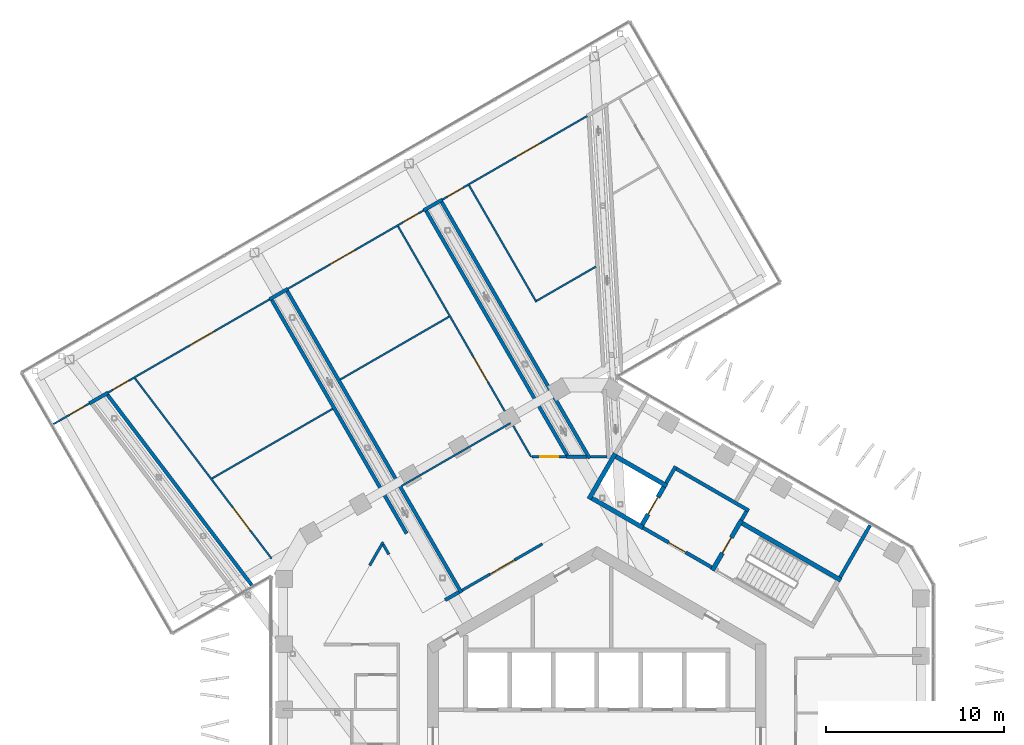
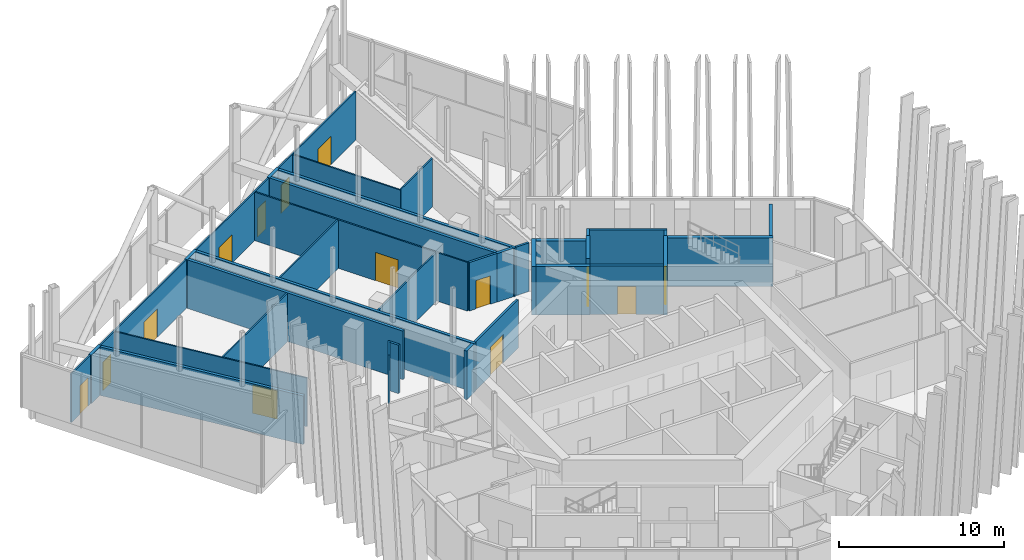
# One storey, part 21 of 29: 37 walls, 14 doors, 14 openings.
"""IFC4 building model written with IfcOpenShell, lengths in metres."""

from ifc_helpers import new_model, si_unit, direction, frame, frame_2d, origin, place, context, subcontext, project, spatial, rectangle, extrude, material, layer, layer_set, type_object, element, fill, save


model = new_model("IFC4")

# Units and contexts
model_context = context("Model", 3, precision=1e-05, world=origin(), true_north=direction((0.0, 1.0)))
body_context = subcontext(model_context, "Body", "Model", "MODEL_VIEW")
ifc_project = project(units=[si_unit("LENGTHUNIT", "METRE"), si_unit("AREAUNIT", "SQUARE_METRE"), si_unit("VOLUMEUNIT", "CUBIC_METRE"), si_unit("PLANEANGLEUNIT", "RADIAN"), si_unit("MASSUNIT", "GRAM", prefix="KILO")], contexts=[model_context])

# Site, building, storey
site_placement = place(None, origin())
site = spatial("IfcSite", under=ifc_project, at=site_placement, CompositionType="ELEMENT")
building_placement = place(site_placement, origin())
building = spatial("IfcBuilding", under=site, at=building_placement, Name="Ayvan Gate Tower", CompositionType="ELEMENT")
storey_placement = place(building_placement, frame((0.0, 0.0, 186.699951171875)))
storey = spatial("IfcBuildingStorey", under=building, at=storey_placement, Name="L50", CompositionType="ELEMENT", Elevation=186.699951171875)

# Walls
ifc_material_1 = material(Name="Plasterboard on steel stud", Category="steel")
ifc_layer_1 = layer(ifc_material_1, 0.14990234375)
ifc_layer_set_1 = layer_set([ifc_layer_1], Name="Plasterboard on steel stud")
wall_type_1 = type_object("IfcWallType", Name="WT-CORR-150", PredefinedType="PARTITIONING", material=ifc_layer_set_1)
wall_1_placement = place(storey_placement, frame((-12.751220703125, 9.900634765625, 0.0), z_axis=(0.0, 0.0, 1.0), x_axis=(0.500016320516, 0.866015980925, 0.0)))
element("IfcWall", 1, at=wall_1_placement, inside=storey, type_object=wall_type_1, Name="IW-L50-024", PredefinedType="PARTITIONING", context=body_context, shape_type="SweptSolid", body=[
    extrude(rectangle(XDim=1.51025390625, YDim=0.14990234375, at=frame_2d((0.755126953125, 0.0))), origin(), (0.0, 0.0, 1.0), 3.60009765625),
])
wall_2_placement = place(storey_placement, frame((-11.99609375, 11.07861328125, 0.0), z_axis=(0.0, 0.0, 1.0), x_axis=(0.50006233641, -0.86598941085, 0.0)))
element("IfcWall", 2, at=wall_2_placement, inside=storey, type_object=wall_type_1, Name="IW-L50-026", PredefinedType="PARTITIONING", context=body_context, shape_type="SweptSolid", body=[
    extrude(rectangle(XDim=0.642578125, YDim=0.14990234375, at=frame_2d((0.3212890625, 0.0))), origin(), (0.0, 0.0, 1.0), 3.60009765625),
])

# Wall, opening, door
wall_3_placement = place(storey_placement, frame((-7.56689453125, 8.506103515625, 0.0), z_axis=(0.0, 0.0, 1.0), x_axis=(0.866029992723, 0.499992051641, 0.0)))
wall_3 = element("IfcWall", 3, at=wall_3_placement, inside=storey, type_object=wall_type_1, Name="IW-L50-043", PredefinedType="PARTITIONING", context=body_context, shape_type="SweptSolid", body=[
    extrude(rectangle(XDim=5.19970703125, YDim=0.14990234375, at=frame_2d((2.599853515625, 0.0))), origin(), (0.0, 0.0, 1.0), 3.60009765625),
])
opening_1_placement = place(wall_3_placement, frame((1.7998046875, 0.0, 0.0)))
opening_1 = element("IfcOpeningElement", 4, at=opening_1_placement, cuts=wall_3, Name="Opening L50-D41", PredefinedType="OPENING", context=body_context, shape_type="SweptSolid", body=[
    extrude(rectangle(XDim=1.60009765625, YDim=2.10009765625, at=frame_2d((0.800048828125, 1.050048828125))), frame((0.0, 0.0849609375, 0.0), z_axis=(0.0, -1.0, 0.0), x_axis=(1.0, 0.0, 0.0)), (0.0, 0.0, 1.0), 0.169921875),
])
ifc_material_2 = material(Name="Timber door leaf", Category="wood")
door_type_1 = type_object("IfcDoorType", Name="DT-1600", OperationType="NOTDEFINED", PredefinedType="DOOR", material=ifc_material_2)
door_1_placement = place(opening_1_placement, origin())
door_1 = element("IfcDoor", 5, at=door_1_placement, inside=storey, type_object=door_type_1, Name="ID-L50-041", OperationType="SINGLE_SWING_LEFT", OverallHeight=2.10009765625, OverallWidth=1.60009765625, PredefinedType="DOOR", context=body_context, shape_type="SweptSolid", body=[
    extrude(rectangle(XDim=1.60009765625, YDim=2.10009765625, at=frame_2d((0.800048828125, 1.050048828125))), frame((0.0, 0.02490234375, 0.0), z_axis=(0.0, -1.0, 0.0), x_axis=(1.0, 0.0, 0.0)), (0.0, 0.0, 1.0), 0.050048828125),
])
fill(opening_1, door_1)

wall_4_placement = place(storey_placement, frame((-3.6337890625, 15.993408203125, 0.0), z_axis=(0.0, 0.0, 1.0), x_axis=(1.0, 0.0, 0.0)))
wall_4 = element("IfcWall", 6, at=wall_4_placement, inside=storey, type_object=wall_type_1, Name="IW-L50-053", PredefinedType="PARTITIONING", context=body_context, shape_type="SweptSolid", body=[
    extrude(rectangle(XDim=1.921142578125, YDim=0.14990234375, at=frame_2d((0.96044921875, 0.0))), origin(), (0.0, 0.0, 1.0), 3.60009765625),
])
opening_2_placement = place(wall_4_placement, frame((0.460693359375, 0.0, 0.0)))
opening_2 = element("IfcOpeningElement", 7, at=opening_2_placement, cuts=wall_4, Name="Opening L50-D40", PredefinedType="OPENING", context=body_context, shape_type="SweptSolid", body=[
    extrude(rectangle(XDim=1.0, YDim=2.10009765625, at=frame_2d((0.5, 1.050048828125))), frame((0.0, 0.0849609375, 0.0), z_axis=(0.0, -1.0, 0.0), x_axis=(1.0, 0.0, 0.0)), (0.0, 0.0, 1.0), 0.169921875),
])
door_type_2 = type_object("IfcDoorType", Name="DT-1000", OperationType="NOTDEFINED", PredefinedType="DOOR", material=ifc_material_2)
door_2_placement = place(opening_2_placement, origin())
door_2 = element("IfcDoor", 8, at=door_2_placement, inside=storey, type_object=door_type_2, Name="ID-L50-040", OperationType="SINGLE_SWING_RIGHT", OverallHeight=2.10009765625, OverallWidth=1.0, PredefinedType="DOOR", context=body_context, shape_type="SweptSolid", body=[
    extrude(rectangle(XDim=1.0, YDim=2.10009765625, at=frame_2d((0.5, 1.050048828125))), frame((0.0, 0.02490234375, 0.0), z_axis=(0.0, -1.0, 0.0), x_axis=(1.0, 0.0, 0.0)), (0.0, 0.0, 1.0), 0.050048828125),
])
fill(opening_2, door_2)

# Wall
wall_5_placement = place(storey_placement, frame((-0.358154296875, 15.993408203125, 0.0), z_axis=(0.0, 0.0, 1.0), x_axis=(1.0, 0.0, 0.0)))
element("IfcWall", 9, at=wall_5_placement, inside=storey, type_object=wall_type_1, Name="IW-L50-070", PredefinedType="PARTITIONING", context=body_context, shape_type="SweptSolid", body=[
    extrude(rectangle(XDim=0.9111328125, YDim=0.14990234375, at=frame_2d((0.45556640625, 0.0))), origin(), (0.0, 0.0, 1.0), 3.60009765625),
])

# Wall, opening, door
ifc_layer_2 = layer(ifc_material_1, 0.10009765625)
ifc_layer_set_2 = layer_set([ifc_layer_2], Name="Plasterboard on steel stud")
wall_type_2 = type_object("IfcWallType", Name="WT-PART-100", PredefinedType="PARTITIONING", material=ifc_layer_set_2)
wall_6_placement = place(storey_placement, frame((-28.47705078125, 18.993896484375, 0.0), z_axis=(0.0, 0.0, 1.0), x_axis=(-0.86603036398, -0.499991408591, 0.0)))
wall_6 = element("IfcWall", 10, at=wall_6_placement, inside=storey, type_object=wall_type_2, Name="IW-L50-001", PredefinedType="PARTITIONING", context=body_context, shape_type="SweptSolid", body=[
    extrude(rectangle(XDim=2.3310546875, YDim=0.10009765625, at=frame_2d((1.16552734375, 0.0))), origin(), (0.0, 0.0, 1.0), 3.60009765625),
])
opening_3_placement = place(wall_6_placement, frame((0.29248046875, 0.0, 0.0)))
opening_3 = element("IfcOpeningElement", 11, at=opening_3_placement, cuts=wall_6, Name="Opening L50-D47", PredefinedType="OPENING", context=body_context, shape_type="SweptSolid", body=[
    extrude(rectangle(XDim=1.0, YDim=2.10009765625, at=frame_2d((0.5, 1.050048828125))), frame((0.0, 0.06005859375, 0.0), z_axis=(0.0, -1.0, 0.0), x_axis=(1.0, 0.0, 0.0)), (0.0, 0.0, 1.0), 0.1201171875),
])
door_3_placement = place(opening_3_placement, origin())
door_3 = element("IfcDoor", 12, at=door_3_placement, inside=storey, type_object=door_type_2, Name="ID-L50-047", OperationType="SINGLE_SWING_LEFT", OverallHeight=2.10009765625, OverallWidth=1.0, PredefinedType="DOOR", context=body_context, shape_type="SweptSolid", body=[
    extrude(rectangle(XDim=1.0, YDim=2.10009765625, at=frame_2d((0.5, 1.050048828125))), frame((0.0, 0.02490234375, 0.0), z_axis=(0.0, -1.0, 0.0), x_axis=(1.0, 0.0, 0.0)), (0.0, 0.0, 1.0), 0.050048828125),
])
fill(opening_3, door_3)

wall_7_placement = place(storey_placement, frame((-25.9287109375, 20.407958984375, 0.0), z_axis=(0.0, 0.0, 1.0), x_axis=(0.604027547498, -0.796963438223, 0.0)))
wall_7 = element("IfcWall", 13, at=wall_7_placement, inside=storey, type_object=wall_type_2, Name="IW-L50-003", PredefinedType="PARTITIONING", context=body_context, shape_type="SweptSolid", body=[
    extrude(rectangle(XDim=12.70068359375, YDim=0.10009765625, at=frame_2d((6.350341796875, 0.0))), origin(), (0.0, 0.0, 1.0), 3.60009765625),
])
opening_4_placement = place(wall_7_placement, frame((9.112548828125, 0.0, 0.0)))
opening_4 = element("IfcOpeningElement", 14, at=opening_4_placement, cuts=wall_7, Name="Opening L50-D45", PredefinedType="OPENING", context=body_context, shape_type="SweptSolid", body=[
    extrude(rectangle(XDim=1.60009765625, YDim=2.10009765625, at=frame_2d((0.800048828125, 1.050048828125))), frame((0.0, 0.06005859375, 0.0), z_axis=(0.0, -1.0, 0.0), x_axis=(1.0, 0.0, 0.0)), (0.0, 0.0, 1.0), 0.1201171875),
])
door_4_placement = place(opening_4_placement, origin())
door_4 = element("IfcDoor", 15, at=door_4_placement, inside=storey, type_object=door_type_1, Name="ID-L50-045", OperationType="SINGLE_SWING_LEFT", OverallHeight=2.10009765625, OverallWidth=1.60009765625, PredefinedType="DOOR", context=body_context, shape_type="SweptSolid", body=[
    extrude(rectangle(XDim=1.60009765625, YDim=2.10009765625, at=frame_2d((0.800048828125, 1.050048828125))), frame((0.0, 0.02490234375, 0.0), z_axis=(0.0, -1.0, 0.0), x_axis=(1.0, 0.0, 0.0)), (0.0, 0.0, 1.0), 0.050048828125),
])
fill(opening_4, door_4)

# Wall, openings, doors
wall_8_placement = place(storey_placement, frame((-27.43115234375, 19.59765625, 0.0), z_axis=(0.0, 0.0, 1.0), x_axis=(0.866023465201, 0.500003357709, 0.0)))
wall_8 = element("IfcWall", 16, at=wall_8_placement, inside=storey, type_object=wall_type_2, Name="IW-L50-004", PredefinedType="PARTITIONING", context=body_context, shape_type="SweptSolid", body=[
    extrude(rectangle(XDim=10.45751953125, YDim=0.10009765625, at=frame_2d((5.228759765625, 0.0))), origin(), (0.0, 0.0, 1.0), 3.60009765625),
])
opening_5_placement = place(wall_8_placement, frame((0.335205078125, 0.0, 0.0)))
opening_5 = element("IfcOpeningElement", 17, at=opening_5_placement, cuts=wall_8, Name="Opening L50-D44", PredefinedType="OPENING", context=body_context, shape_type="SweptSolid", body=[
    extrude(rectangle(XDim=1.0, YDim=2.10009765625, at=frame_2d((0.5, 1.050048828125))), frame((0.0, 0.06005859375, 0.0), z_axis=(0.0, -1.0, 0.0), x_axis=(1.0, 0.0, 0.0)), (0.0, 0.0, 1.0), 0.1201171875),
])
opening_6_placement = place(wall_8_placement, frame((5.293701171875, 0.0, 0.0)))
opening_6 = element("IfcOpeningElement", 18, at=opening_6_placement, cuts=wall_8, Name="Opening L50-D46", PredefinedType="OPENING", context=body_context, shape_type="SweptSolid", body=[
    extrude(rectangle(XDim=1.60009765625, YDim=2.10009765625, at=frame_2d((0.800048828125, 1.050048828125))), frame((0.0, 0.06005859375, 0.0), z_axis=(0.0, -1.0, 0.0), x_axis=(1.0, 0.0, 0.0)), (0.0, 0.0, 1.0), 0.1201171875),
])
door_5_placement = place(opening_5_placement, origin())
door_5 = element("IfcDoor", 19, at=door_5_placement, inside=storey, type_object=door_type_2, Name="ID-L50-044", OperationType="SINGLE_SWING_RIGHT", OverallHeight=2.10009765625, OverallWidth=1.0, PredefinedType="DOOR", context=body_context, shape_type="SweptSolid", body=[
    extrude(rectangle(XDim=1.0, YDim=2.10009765625, at=frame_2d((0.5, 1.050048828125))), frame((0.0, 0.02490234375, 0.0), z_axis=(0.0, -1.0, 0.0), x_axis=(1.0, 0.0, 0.0)), (0.0, 0.0, 1.0), 0.050048828125),
])
fill(opening_5, door_5)
door_6_placement = place(opening_6_placement, origin())
door_6 = element("IfcDoor", 20, at=door_6_placement, inside=storey, type_object=door_type_1, Name="ID-L50-046", OperationType="SINGLE_SWING_RIGHT", OverallHeight=2.10009765625, OverallWidth=1.60009765625, PredefinedType="DOOR", context=body_context, shape_type="SweptSolid", body=[
    extrude(rectangle(XDim=1.60009765625, YDim=2.10009765625, at=frame_2d((0.800048828125, 1.050048828125))), frame((0.0, 0.02490234375, 0.0), z_axis=(0.0, -1.0, 0.0), x_axis=(1.0, 0.0, 0.0)), (0.0, 0.0, 1.0), 0.050048828125),
])
fill(opening_6, door_6)

# Walls
wall_9_placement = place(storey_placement, frame((-21.60009765625, 14.779052734375, 0.0), z_axis=(0.0, 0.0, 1.0), x_axis=(0.866022269728, 0.500005428306, 0.0)))
element("IfcWall", 21, at=wall_9_placement, inside=storey, type_object=wall_type_2, Name="IW-L50-005", PredefinedType="PARTITIONING", context=body_context, shape_type="SweptSolid", body=[
    extrude(rectangle(XDim=7.81689453125, YDim=0.10009765625, at=frame_2d((3.908447265625, 0.0))), origin(), (0.0, 0.0, 1.0), 3.60009765625),
])
wall_10_placement = place(storey_placement, frame((-14.396240234375, 20.335205078125, 0.0), z_axis=(0.0, 0.0, 1.0), x_axis=(0.866031034943, 0.499990246421, 0.0)))
element("IfcWall", 22, at=wall_10_placement, inside=storey, type_object=wall_type_2, Name="IW-L50-013", PredefinedType="PARTITIONING", context=body_context, shape_type="SweptSolid", body=[
    extrude(rectangle(XDim=7.050048828125, YDim=0.10009765625, at=frame_2d((3.52490234375, 0.0))), origin(), (0.0, 0.0, 1.0), 3.60009765625),
])

# Wall, openings, doors
wall_11_placement = place(storey_placement, frame((-17.335693359375, 25.42626953125, 0.0), z_axis=(0.0, 0.0, 1.0), x_axis=(0.866020190133, 0.500009030201, 0.0)))
wall_11 = element("IfcWall", 23, at=wall_11_placement, inside=storey, type_object=wall_type_2, Name="IW-L50-027", PredefinedType="PARTITIONING", context=body_context, shape_type="SweptSolid", body=[
    extrude(rectangle(XDim=8.800048828125, YDim=0.10009765625, at=frame_2d((4.39990234375, 0.0))), origin(), (0.0, 0.0, 1.0), 3.60009765625),
])
opening_7_placement = place(wall_11_placement, frame((7.465087890625, 0.0, 0.0)))
opening_7 = element("IfcOpeningElement", 24, at=opening_7_placement, cuts=wall_11, Name="Opening L50-D34", PredefinedType="OPENING", context=body_context, shape_type="SweptSolid", body=[
    extrude(rectangle(XDim=1.0, YDim=2.10009765625, at=frame_2d((0.5, 1.050048828125))), frame((0.0, 0.06005859375, 0.0), z_axis=(0.0, -1.0, 0.0), x_axis=(1.0, 0.0, 0.0)), (0.0, 0.0, 1.0), 0.1201171875),
])
opening_8_placement = place(wall_11_placement, frame((2.735107421875, 0.0, 0.0)))
opening_8 = element("IfcOpeningElement", 25, at=opening_8_placement, cuts=wall_11, Name="Opening L50-D43", PredefinedType="OPENING", context=body_context, shape_type="SweptSolid", body=[
    extrude(rectangle(XDim=1.60009765625, YDim=2.10009765625, at=frame_2d((0.800048828125, 1.050048828125))), frame((0.0, 0.06005859375, 0.0), z_axis=(0.0, -1.0, 0.0), x_axis=(1.0, 0.0, 0.0)), (0.0, 0.0, 1.0), 0.1201171875),
])
door_7_placement = place(opening_7_placement, origin())
door_7 = element("IfcDoor", 26, at=door_7_placement, inside=storey, type_object=door_type_2, Name="ID-L50-034", OperationType="SINGLE_SWING_RIGHT", OverallHeight=2.10009765625, OverallWidth=1.0, PredefinedType="DOOR", context=body_context, shape_type="SweptSolid", body=[
    extrude(rectangle(XDim=1.0, YDim=2.10009765625, at=frame_2d((0.5, 1.050048828125))), frame((0.0, 0.02490234375, 0.0), z_axis=(0.0, -1.0, 0.0), x_axis=(1.0, 0.0, 0.0)), (0.0, 0.0, 1.0), 0.050048828125),
])
fill(opening_7, door_7)
door_8_placement = place(opening_8_placement, origin())
door_8 = element("IfcDoor", 27, at=door_8_placement, inside=storey, type_object=door_type_1, Name="ID-L50-043", OperationType="SINGLE_SWING_LEFT", OverallHeight=2.10009765625, OverallWidth=1.60009765625, PredefinedType="DOOR", context=body_context, shape_type="SweptSolid", body=[
    extrude(rectangle(XDim=1.60009765625, YDim=2.10009765625, at=frame_2d((0.800048828125, 1.050048828125))), frame((0.0, 0.02490234375, 0.0), z_axis=(0.0, -1.0, 0.0), x_axis=(1.0, 0.0, 0.0)), (0.0, 0.0, 1.0), 0.050048828125),
])
fill(opening_8, door_8)

# Wall
wall_12_placement = place(storey_placement, frame((-10.949951171875, 14.365966796875, 0.0), z_axis=(0.0, 0.0, 1.0), x_axis=(0.866016039709, 0.500016218704, 0.0)))
element("IfcWall", 28, at=wall_12_placement, inside=storey, type_object=wall_type_2, Name="IW-L50-032", PredefinedType="PARTITIONING", context=body_context, shape_type="SweptSolid", body=[
    extrude(rectangle(XDim=7.050048828125, YDim=0.10009765625, at=frame_2d((3.52490234375, 0.0))), origin(), (0.0, 0.0, 1.0), 3.60009765625),
])

# Wall, opening, door
wall_13_placement = place(storey_placement, frame((-11.161865234375, 28.932861328125, 0.0), z_axis=(0.0, 0.0, 1.0), x_axis=(0.500005339912, -0.866022320763, 0.0)))
wall_13 = element("IfcWall", 29, at=wall_13_placement, inside=storey, type_object=wall_type_2, Name="IW-L50-039", PredefinedType="PARTITIONING", context=body_context, shape_type="SweptSolid", body=[
    extrude(rectangle(XDim=14.941162109375, YDim=0.10009765625, at=frame_2d((7.470703125, 0.0))), origin(), (0.0, 0.0, 1.0), 3.60009765625),
])
opening_9_placement = place(wall_13_placement, frame((8.47509765625, 0.0, 0.0)))
opening_9 = element("IfcOpeningElement", 30, at=opening_9_placement, cuts=wall_13, Name="Opening L50-D42", PredefinedType="OPENING", context=body_context, shape_type="SweptSolid", body=[
    extrude(rectangle(XDim=1.60009765625, YDim=2.10009765625, at=frame_2d((0.800048828125, 1.050048828125))), frame((0.0, 0.06005859375, 0.0), z_axis=(0.0, -1.0, 0.0), x_axis=(1.0, 0.0, 0.0)), (0.0, 0.0, 1.0), 0.1201171875),
])
door_9_placement = place(opening_9_placement, origin())
door_9 = element("IfcDoor", 31, at=door_9_placement, inside=storey, type_object=door_type_1, Name="ID-L50-042", OperationType="SINGLE_SWING_RIGHT", OverallHeight=2.10009765625, OverallWidth=1.60009765625, PredefinedType="DOOR", context=body_context, shape_type="SweptSolid", body=[
    extrude(rectangle(XDim=1.60009765625, YDim=2.10009765625, at=frame_2d((0.800048828125, 1.050048828125))), frame((0.0, 0.02490234375, 0.0), z_axis=(0.0, -1.0, 0.0), x_axis=(1.0, 0.0, 0.0)), (0.0, 0.0, 1.0), 0.050048828125),
])
fill(opening_9, door_9)

# Wall
wall_14_placement = place(storey_placement, frame((-7.17822265625, 31.23291015625, 0.0), z_axis=(0.0, 0.0, 1.0), x_axis=(0.500006527538, -0.866021635076, 0.0)))
element("IfcWall", 32, at=wall_14_placement, inside=storey, type_object=wall_type_2, Name="IW-L50-047", PredefinedType="PARTITIONING", context=body_context, shape_type="SweptSolid", body=[
    extrude(rectangle(XDim=7.5634765625, YDim=0.10009765625, at=frame_2d((3.78173828125, 0.0))), origin(), (0.0, 0.0, 1.0), 3.60009765625),
])

# Wall, openings, doors
wall_15_placement = place(storey_placement, frame((-8.675537109375, 30.42626953125, 0.0), z_axis=(0.0, 0.0, 1.0), x_axis=(0.866025296335, 0.500000186108, 0.0)))
wall_15 = element("IfcWall", 33, at=wall_15_placement, inside=storey, type_object=wall_type_2, Name="IW-L50-048", PredefinedType="PARTITIONING", context=body_context, shape_type="SweptSolid", body=[
    extrude(rectangle(XDim=9.384765625, YDim=0.10009765625, at=frame_2d((4.6923828125, 0.0))), origin(), (0.0, 0.0, 1.0), 3.60009765625),
])
opening_10_placement = place(wall_15_placement, frame((0.335205078125, 0.0, 0.0)))
opening_10 = element("IfcOpeningElement", 34, at=opening_10_placement, cuts=wall_15, Name="Opening L50-D38", PredefinedType="OPENING", context=body_context, shape_type="SweptSolid", body=[
    extrude(rectangle(XDim=1.0, YDim=2.10009765625, at=frame_2d((0.5, 1.050048828125))), frame((0.0, 0.06005859375, 0.0), z_axis=(0.0, -1.0, 0.0), x_axis=(1.0, 0.0, 0.0)), (0.0, 0.0, 1.0), 0.1201171875),
])
opening_11_placement = place(wall_15_placement, frame((4.75732421875, 0.0, 0.0)))
opening_11 = element("IfcOpeningElement", 35, at=opening_11_placement, cuts=wall_15, Name="Opening L50-D39", PredefinedType="OPENING", context=body_context, shape_type="SweptSolid", body=[
    extrude(rectangle(XDim=1.60009765625, YDim=2.10009765625, at=frame_2d((0.800048828125, 1.050048828125))), frame((0.0, 0.06005859375, 0.0), z_axis=(0.0, -1.0, 0.0), x_axis=(1.0, 0.0, 0.0)), (0.0, 0.0, 1.0), 0.1201171875),
])
door_10_placement = place(opening_10_placement, origin())
door_10 = element("IfcDoor", 36, at=door_10_placement, inside=storey, type_object=door_type_2, Name="ID-L50-038", OperationType="SINGLE_SWING_RIGHT", OverallHeight=2.10009765625, OverallWidth=1.0, PredefinedType="DOOR", context=body_context, shape_type="SweptSolid", body=[
    extrude(rectangle(XDim=1.0, YDim=2.10009765625, at=frame_2d((0.5, 1.050048828125))), frame((0.0, 0.02490234375, 0.0), z_axis=(0.0, -1.0, 0.0), x_axis=(1.0, 0.0, 0.0)), (0.0, 0.0, 1.0), 0.050048828125),
])
fill(opening_10, door_10)
door_11_placement = place(opening_11_placement, origin())
door_11 = element("IfcDoor", 37, at=door_11_placement, inside=storey, type_object=door_type_1, Name="ID-L50-039", OperationType="SINGLE_SWING_LEFT", OverallHeight=2.10009765625, OverallWidth=1.60009765625, PredefinedType="DOOR", context=body_context, shape_type="SweptSolid", body=[
    extrude(rectangle(XDim=1.60009765625, YDim=2.10009765625, at=frame_2d((0.800048828125, 1.050048828125))), frame((0.0, 0.02490234375, 0.0), z_axis=(0.0, -1.0, 0.0), x_axis=(1.0, 0.0, 0.0)), (0.0, 0.0, 1.0), 0.050048828125),
])
fill(opening_11, door_11)

# Walls
wall_16_placement = place(storey_placement, frame((-3.378173828125, 24.751220703125, 0.0), z_axis=(0.0, 0.0, 1.0), x_axis=(0.866060495566, 0.499939214325, 0.0)))
element("IfcWall", 38, at=wall_16_placement, inside=storey, type_object=wall_type_2, Name="IW-L50-055", PredefinedType="PARTITIONING", context=body_context, shape_type="SweptSolid", body=[
    extrude(rectangle(XDim=3.8349609375, YDim=0.10009765625, at=frame_2d((1.91748046875, 0.0))), origin(), (0.0, 0.0, 1.0), 3.60009765625),
])
ifc_layer_3 = layer(ifc_material_1, 0.199951171875)
ifc_layer_set_3 = layer_set([ifc_layer_3], Name="Plasterboard on steel stud")
wall_type_3 = type_object("IfcWallType", Name="WT-PLUMB-200", PredefinedType="PLUMBINGWALL", material=ifc_layer_set_3)
wall_17_placement = place(storey_placement, frame((-28.47705078125, 18.993896484375, 0.0), z_axis=(0.0, 0.0, 1.0), x_axis=(0.866108180176, 0.499856599668, 0.0)))
element("IfcWall", 39, at=wall_17_placement, inside=storey, type_object=wall_type_3, Name="IW-L50-000", PredefinedType="PLUMBINGWALL", context=body_context, shape_type="SweptSolid", body=[
    extrude(rectangle(XDim=1.207763671875, YDim=0.199951171875, at=frame_2d((0.60400390625, 0.0))), origin(), (0.0, 0.0, 1.0), 3.60009765625),
])
wall_18_placement = place(storey_placement, frame((-27.457275390625, 19.468017578125, 0.0), z_axis=(0.0, 0.0, 1.0), x_axis=(0.60402881465, -0.796962477832, 0.0)))
element("IfcWall", 40, at=wall_18_placement, inside=storey, type_object=wall_type_3, Name="IW-L50-002", PredefinedType="PLUMBINGWALL", context=body_context, shape_type="SweptSolid", body=[
    extrude(rectangle(XDim=13.4033203125, YDim=0.199951171875, at=frame_2d((6.70166015625, 0.0))), origin(), (0.0, 0.0, 1.0), 3.60009765625),
])
wall_19_placement = place(storey_placement, frame((-18.375, 24.826416015625, 0.0), z_axis=(0.0, 0.0, 1.0), x_axis=(0.866094119867, 0.499880961361, 0.0)))
element("IfcWall", 41, at=wall_19_placement, inside=storey, type_object=wall_type_3, Name="IW-L50-007", PredefinedType="PLUMBINGWALL", context=body_context, shape_type="SweptSolid", body=[
    extrude(rectangle(XDim=1.199951171875, YDim=0.199951171875, at=frame_2d((0.60009765625, 0.0))), origin(), (0.0, 0.0, 1.0), 3.60009765625),
])
wall_20_placement = place(storey_placement, frame((-17.372314453125, 25.28955078125, 0.0), z_axis=(0.0, 0.0, 1.0), x_axis=(0.5000029704, -0.866023688816, 0.0)))
element("IfcWall", 42, at=wall_20_placement, inside=storey, type_object=wall_type_3, Name="IW-L50-008", PredefinedType="PLUMBINGWALL", context=body_context, shape_type="SweptSolid", body=[
    extrude(rectangle(XDim=19.53759765625, YDim=0.199951171875, at=frame_2d((9.768798828125, 0.0))), origin(), (0.0, 0.0, 1.0), 3.60009765625),
])
wall_21_placement = place(storey_placement, frame((-18.23828125, 24.78955078125, 0.0), z_axis=(0.0, 0.0, 1.0), x_axis=(0.500002415695, -0.866024009078, 0.0)))
element("IfcWall", 43, at=wall_21_placement, inside=storey, type_object=wall_type_3, Name="IW-L50-012", PredefinedType="PLUMBINGWALL", context=body_context, shape_type="SweptSolid", body=[
    extrude(rectangle(XDim=15.12255859375, YDim=0.199951171875, at=frame_2d((7.561279296875, 0.0))), origin(), (0.0, 0.0, 1.0), 3.60009765625),
])
wall_22_placement = place(storey_placement, frame((-9.714599609375, 29.826416015625, 0.0), z_axis=(0.0, 0.0, 1.0), x_axis=(0.866094119867, 0.499880961361, 0.0)))
element("IfcWall", 44, at=wall_22_placement, inside=storey, type_object=wall_type_3, Name="IW-L50-033", PredefinedType="PLUMBINGWALL", context=body_context, shape_type="SweptSolid", body=[
    extrude(rectangle(XDim=1.199951171875, YDim=0.199951171875, at=frame_2d((0.60009765625, 0.0))), origin(), (0.0, 0.0, 1.0), 3.60009765625),
])
wall_23_placement = place(storey_placement, frame((-8.7119140625, 30.28955078125, 0.0), z_axis=(0.0, 0.0, 1.0), x_axis=(0.500001553912, -0.866024506631, 0.0)))
element("IfcWall", 45, at=wall_23_placement, inside=storey, type_object=wall_type_3, Name="IW-L50-036", PredefinedType="PLUMBINGWALL", context=body_context, shape_type="SweptSolid", body=[
    extrude(rectangle(XDim=16.60791015625, YDim=0.199951171875, at=frame_2d((8.303955078125, 0.0))), origin(), (0.0, 0.0, 1.0), 3.60009765625),
])
wall_24_placement = place(storey_placement, frame((-8.51953125, 7.9560546875, 0.0), z_axis=(0.0, 0.0, 1.0), x_axis=(0.865964261186, 0.500105887137, 0.0)))
element("IfcWall", 46, at=wall_24_placement, inside=storey, type_object=wall_type_3, Name="IW-L50-037", PredefinedType="PLUMBINGWALL", context=body_context, shape_type="SweptSolid", body=[
    extrude(rectangle(XDim=0.900146484375, YDim=0.199951171875, at=frame_2d((0.4501953125, 0.0))), origin(), (0.0, 0.0, 1.0), 3.60009765625),
])
wall_25_placement = place(storey_placement, frame((-1.712890625, 15.993408203125, 0.0), z_axis=(0.0, 0.0, 1.0), x_axis=(1.0, 0.0, 0.0)))
element("IfcWall", 47, at=wall_25_placement, inside=storey, type_object=wall_type_3, Name="IW-L50-062", PredefinedType="PLUMBINGWALL", context=body_context, shape_type="SweptSolid", body=[
    extrude(rectangle(XDim=1.155029296875, YDim=0.199951171875, at=frame_2d((0.57763671875, 0.0))), origin(), (0.0, 0.0, 1.0), 3.60009765625),
])
wall_26_placement = place(storey_placement, frame((-1.66259765625, 16.079833984375, 0.0), z_axis=(0.0, 0.0, 1.0), x_axis=(-0.499998792841, 0.866026100737, 0.0)))
element("IfcWall", 48, at=wall_26_placement, inside=storey, type_object=wall_type_3, Name="IW-L50-063", PredefinedType="PLUMBINGWALL", context=body_context, shape_type="SweptSolid", body=[
    extrude(rectangle(XDim=15.83056640625, YDim=0.199951171875, at=frame_2d((7.915283203125, 0.0))), origin(), (0.0, 0.0, 1.0), 3.60009765625),
])
wall_27_placement = place(storey_placement, frame((3.885009765625, 14.52880859375, 0.0), z_axis=(0.0, 0.0, 1.0), x_axis=(0.499997628298, 0.866026773083, 0.0)))
element("IfcWall", 49, at=wall_27_placement, inside=storey, type_object=wall_type_3, Name="IW-L50-095", PredefinedType="PLUMBINGWALL", context=body_context, shape_type="SweptSolid", body=[
    extrude(rectangle(XDim=1.0751953125, YDim=0.199951171875, at=frame_2d((0.53759765625, 0.0))), origin(), (0.0, 0.0, 1.0), 3.60009765625),
])
wall_28_placement = place(storey_placement, frame((4.458984375, 15.323486328125, 0.0), z_axis=(0.0, 0.0, 1.0), x_axis=(0.866016039709, -0.500016218704, 0.0)))
element("IfcWall", 50, at=wall_28_placement, inside=storey, type_object=wall_type_3, Name="IW-L50-096", PredefinedType="PLUMBINGWALL", context=body_context, shape_type="SweptSolid", body=[
    extrude(rectangle(XDim=4.699951171875, YDim=0.199951171875, at=frame_2d((2.35009765625, 0.0))), origin(), (0.0, 0.0, 1.0), 3.60009765625),
])
wall_29_placement = place(storey_placement, frame((8.392822265625, 12.936767578125, 0.0), z_axis=(0.0, 0.0, 1.0), x_axis=(-0.500065409566, -0.86598763626, 0.0)))
element("IfcWall", 51, at=wall_29_placement, inside=storey, type_object=wall_type_3, Name="IW-L50-112", PredefinedType="PLUMBINGWALL", context=body_context, shape_type="SweptSolid", body=[
    extrude(rectangle(XDim=0.5751953125, YDim=0.199951171875, at=frame_2d((0.28759765625, 0.0))), origin(), (0.0, 0.0, 1.0), 3.60009765625),
])
wall_30_placement = place(storey_placement, frame((15.329833984375, 12.152099609375, 0.0), z_axis=(0.0, 0.0, 1.0), x_axis=(-0.499971653852, -0.866041768822, 0.0)))
element("IfcWall", 52, at=wall_30_placement, inside=storey, type_object=wall_type_3, Name="IW-L50-127", PredefinedType="PLUMBINGWALL", context=body_context, shape_type="SweptSolid", body=[
    extrude(rectangle(XDim=3.364013671875, YDim=0.199951171875, at=frame_2d((1.68212890625, 0.0))), origin(), (0.0, 0.0, 1.0), 3.60009765625),
])

# Wall, opening, door
ifc_layer_4 = layer(ifc_material_1, 0.199951171875)
ifc_layer_set_4 = layer_set([ifc_layer_4], Name="Plasterboard on steel stud")
wall_type_4 = type_object("IfcWallType", Name="WT-RATED-200", PredefinedType="PARTITIONING", material=ifc_layer_set_4)
wall_31_placement = place(storey_placement, frame((6.4345703125, 9.794921875, 0.0), z_axis=(0.0, 0.0, 1.0), x_axis=(-0.866012907634, 0.500021643343, 0.0)))
wall_31 = element("IfcWall", 53, at=wall_31_placement, inside=storey, type_object=wall_type_4, Name="IW-L50-101", PredefinedType="PARTITIONING", context=body_context, shape_type="SweptSolid", body=[
    extrude(rectangle(XDim=4.449951171875, YDim=0.199951171875, at=frame_2d((2.22509765625, 0.0))), origin(), (0.0, 0.0, 1.0), 3.60009765625),
])
opening_12_placement = place(wall_31_placement, frame((1.675048828125, 0.0, 0.0)))
opening_12 = element("IfcOpeningElement", 54, at=opening_12_placement, cuts=wall_31, Name="Opening L50-D12", PredefinedType="OPENING", context=body_context, shape_type="SweptSolid", body=[
    extrude(rectangle(XDim=1.10009765625, YDim=2.10009765625, at=frame_2d((0.550048828125, 1.050048828125))), frame((0.0, 0.10986328125, 0.0), z_axis=(0.0, -1.0, 0.0), x_axis=(1.0, 0.0, 0.0)), (0.0, 0.0, 1.0), 0.219970703125),
])
door_type_3 = type_object("IfcDoorType", Name="DT-1100", OperationType="NOTDEFINED", PredefinedType="DOOR", material=ifc_material_2)
door_12_placement = place(opening_12_placement, origin())
door_12 = element("IfcDoor", 55, at=door_12_placement, inside=storey, type_object=door_type_3, Name="ID-L50-012", OperationType="SINGLE_SWING_RIGHT", OverallHeight=2.10009765625, OverallWidth=1.10009765625, PredefinedType="DOOR", context=body_context, shape_type="SweptSolid", body=[
    extrude(rectangle(XDim=1.10009765625, YDim=2.10009765625, at=frame_2d((0.550048828125, 1.050048828125))), frame((0.0, 0.02490234375, 0.0), z_axis=(0.0, -1.0, 0.0), x_axis=(1.0, 0.0, 0.0)), (0.0, 0.0, 1.0), 0.050048828125),
])
fill(opening_12, door_12)

# Walls
ifc_material_3 = material(Name="Concrete C50/60", Category="concrete")
ifc_layer_5 = layer(ifc_material_3, 0.25)
ifc_layer_set_5 = layer_set([ifc_layer_5], Name="Concrete C50/60")
wall_type_5 = type_object("IfcWallType", Name="WT-RC-250", PredefinedType="SHEAR", material=ifc_layer_set_5)
wall_32_placement = place(storey_placement, frame((-0.447998046875, 13.624267578125, 0.0), z_axis=(0.0, 0.0, 1.0), x_axis=(0.500037662692, 0.866003658127, 0.0)))
element("IfcWall", 56, at=wall_32_placement, inside=storey, type_object=wall_type_5, Name="IW-L50-071", PredefinedType="SHEAR", context=body_context, shape_type="SweptSolid", body=[
    extrude(rectangle(XDim=2.949951171875, YDim=0.25, at=frame_2d((1.47509765625, 0.0))), origin(), (0.0, 0.0, 1.0), 3.60009765625),
])
for number, where, z_axis, x_axis, name in (
    (57, (1.072998046875, 16.00830078125, 0.0), (0.0, 0.0, 1.0), (0.866040211805, -0.499974350878, 0.0), "IW-L50-081"),
    (58, (2.580810546875, 12.02001953125, 0.0), (0.0, 0.0, 1.0), (-0.866040211805, 0.499974350878, 0.0), "IW-L50-090"),
):
    element("IfcWall", number, at=place(storey_placement, frame(where, z_axis=z_axis, x_axis=x_axis)), inside=storey, type_object=wall_type_5, Name=name, PredefinedType="SHEAR", context=body_context, shape_type="SweptSolid", body=[
        extrude(rectangle(XDim=3.300048828125, YDim=0.25, at=frame_2d((1.64990234375, 0.0))), origin(), (0.0, 0.0, 1.0), 3.60009765625),
    ])

# Wall, opening, door
wall_33_placement = place(storey_placement, frame((2.534912109375, 12.19091796875, 0.0), z_axis=(0.0, 0.0, 1.0), x_axis=(0.500061746146, 0.865989751695, 0.0)))
wall_33 = element("IfcWall", 59, at=wall_33_placement, inside=storey, type_object=wall_type_5, Name="IW-L50-091", PredefinedType="SHEAR", context=body_context, shape_type="SweptSolid", body=[
    extrude(rectangle(XDim=2.449951171875, YDim=0.25, at=frame_2d((1.22509765625, 0.0))), origin(), (0.0, 0.0, 1.0), 4.0),
])
opening_13_placement = place(wall_33_placement, frame((0.675048828125, 0.0, 0.0)))
opening_13 = element("IfcOpeningElement", 60, at=opening_13_placement, cuts=wall_33, Name="Opening L50-LD-FF1", PredefinedType="OPENING", context=body_context, shape_type="SweptSolid", body=[
    extrude(rectangle(XDim=1.10009765625, YDim=2.10009765625, at=frame_2d((0.550048828125, 1.050048828125))), frame((0.0, 0.135009765625, 0.0), z_axis=(0.0, -1.0, 0.0), x_axis=(1.0, 0.0, 0.0)), (0.0, 0.0, 1.0), 0.27001953125),
])
ifc_material_4 = material(Name="Stainless steel landing door", Category="steel")
door_type_4 = type_object("IfcDoorType", Name="DT-LANDING-1100", OperationType="SLIDING_TO_LEFT", PredefinedType="DOOR", material=ifc_material_4)
door_13_placement = place(opening_13_placement, origin())
door_13 = element("IfcDoor", 61, at=door_13_placement, inside=storey, type_object=door_type_4, Name="ID-L50-013", OperationType="SLIDING_TO_LEFT", OverallHeight=2.10009765625, OverallWidth=1.10009765625, PredefinedType="DOOR", context=body_context, shape_type="SweptSolid", body=[
    extrude(rectangle(XDim=1.10009765625, YDim=2.10009765625, at=frame_2d((0.550048828125, 1.050048828125))), frame((0.0, 0.02490234375, 0.0), z_axis=(0.0, -1.0, 0.0), x_axis=(1.0, 0.0, 0.0)), (0.0, 0.0, 1.0), 0.050048828125),
])
fill(opening_13, door_13)

wall_34_placement = place(storey_placement, frame((6.480224609375, 9.624267578125, 0.0), z_axis=(0.0, 0.0, 1.0), x_axis=(0.500017246033, 0.866015446554, 0.0)))
wall_34 = element("IfcWall", 62, at=wall_34_placement, inside=storey, type_object=wall_type_5, Name="IW-L50-102", PredefinedType="SHEAR", context=body_context, shape_type="SweptSolid", body=[
    extrude(rectangle(XDim=3.25, YDim=0.25, at=frame_2d((1.625, 0.0))), origin(), (0.0, 0.0, 1.0), 3.60009765625),
])
opening_14_placement = place(wall_34_placement, frame((1.125, 0.0, 0.0)))
opening_14 = element("IfcOpeningElement", 63, at=opening_14_placement, cuts=wall_34, Name="Opening L50-D11", PredefinedType="OPENING", context=body_context, shape_type="SweptSolid", body=[
    extrude(rectangle(XDim=1.0, YDim=2.10009765625, at=frame_2d((0.5, 1.050048828125))), frame((0.0, 0.135009765625, 0.0), z_axis=(0.0, -1.0, 0.0), x_axis=(1.0, 0.0, 0.0)), (0.0, 0.0, 1.0), 0.27001953125),
])
door_14_placement = place(opening_14_placement, origin())
door_14 = element("IfcDoor", 64, at=door_14_placement, inside=storey, type_object=door_type_2, Name="ID-L50-011", OperationType="SINGLE_SWING_LEFT", OverallHeight=2.10009765625, OverallWidth=1.0, PredefinedType="DOOR", context=body_context, shape_type="SweptSolid", body=[
    extrude(rectangle(XDim=1.0, YDim=2.10009765625, at=frame_2d((0.5, 1.050048828125))), frame((0.0, 0.02490234375, 0.0), z_axis=(0.0, -1.0, 0.0), x_axis=(1.0, 0.0, 0.0)), (0.0, 0.0, 1.0), 0.050048828125),
])
fill(opening_14, door_14)

# Wall
wall_35_placement = place(storey_placement, frame((8.151123046875, 12.26806640625, 0.0), z_axis=(0.0, 0.0, 1.0), x_axis=(0.866025499775, -0.499999833739, 0.0)))
element("IfcWall", 65, at=wall_35_placement, inside=storey, type_object=wall_type_5, Name="IW-L50-111", PredefinedType="SHEAR", context=body_context, shape_type="SweptSolid", body=[
    extrude(rectangle(XDim=6.39990234375, YDim=0.25, at=frame_2d((3.199951171875, 0.0))), origin(), (0.0, 0.0, 1.0), 3.60009765625),
])

save(model, "model.ifc")
